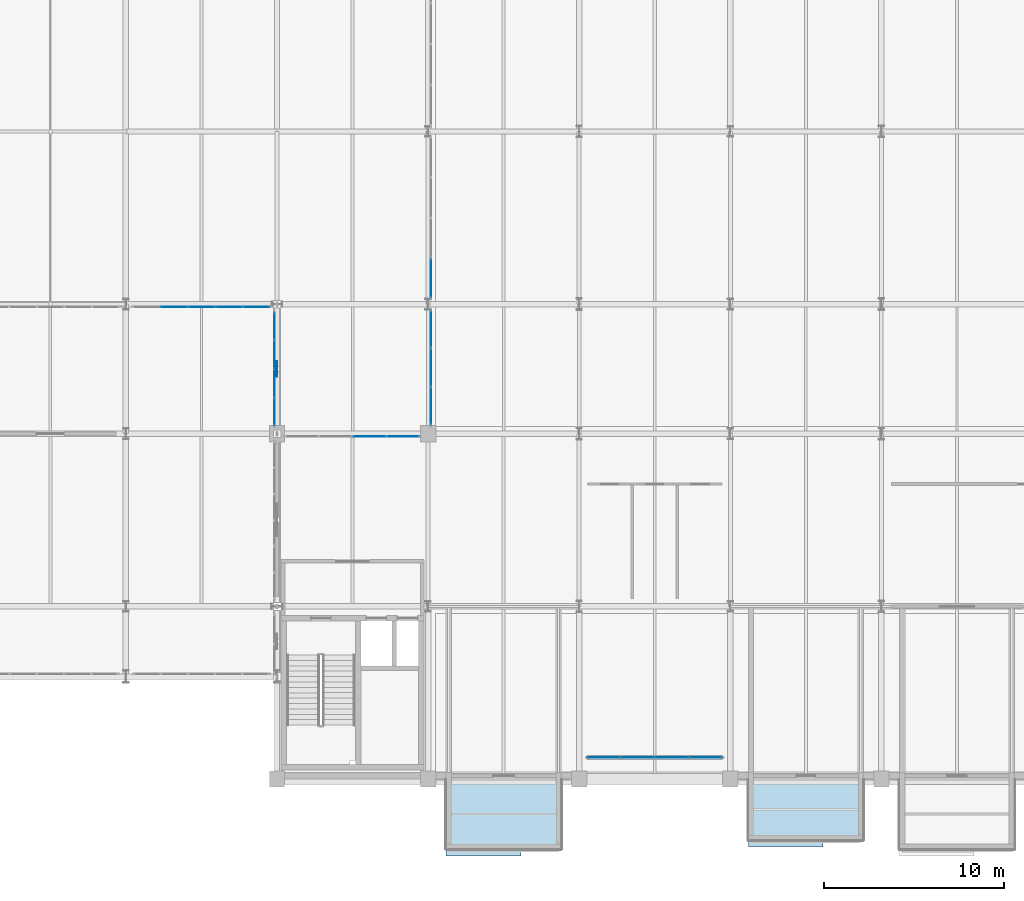
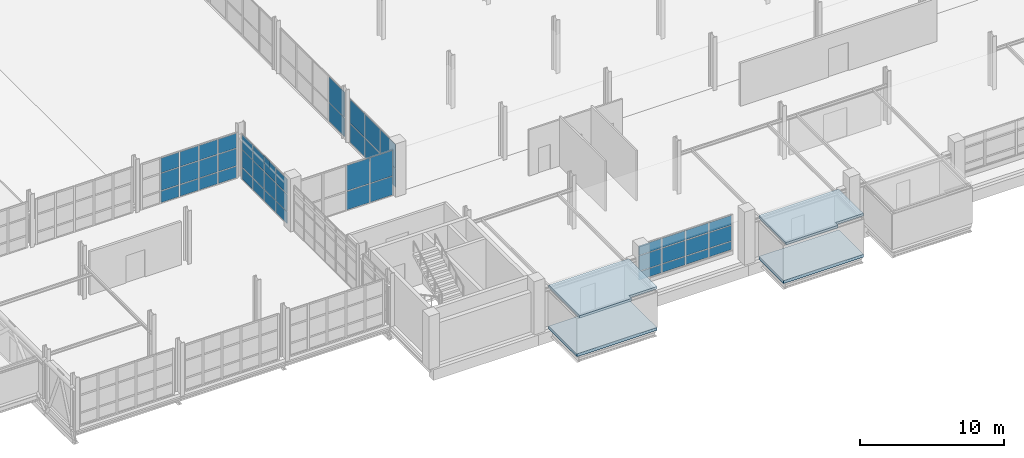
# One storey, part 106 of 130: 49 plates, 4 slabs, 6 elements without a shape of their own.
"""IFC4 building model written with IfcOpenShell, lengths in metres."""

from ifc_helpers import new_model, si_unit, direction, frame, origin, origin_2d, place, context, subcontext, project, spatial, polyline, rectangle, outline, extrude, material, layer, layer_set, type_object, element, aggregate, save


model = new_model("IFC4")

# Units and contexts
model_context = context("Model", 3, precision=1e-05, world=origin(), true_north=direction((0.0, 1.0)))
body_context = subcontext(model_context, "Body", "Model", "MODEL_VIEW")
ifc_project = project(units=[si_unit("LENGTHUNIT", "METRE"), si_unit("AREAUNIT", "SQUARE_METRE"), si_unit("VOLUMEUNIT", "CUBIC_METRE"), si_unit("PLANEANGLEUNIT", "RADIAN"), si_unit("MASSUNIT", "GRAM", prefix="KILO")], contexts=[model_context])

# Site, building, storey
site_placement = place(None, origin())
site = spatial("IfcSite", under=ifc_project, at=site_placement, CompositionType="ELEMENT")
building_placement = place(site_placement, origin())
building = spatial("IfcBuilding", under=site, at=building_placement, Name="Veltarok Museum of Natural Sciences", CompositionType="ELEMENT")
storey_placement = place(building_placement, frame((0.0, 0.0, 12.89990234375)))
storey = spatial("IfcBuildingStorey", under=building, at=storey_placement, Name="L02", CompositionType="ELEMENT", Elevation=12.89990234375)

# Slabs
ifc_material_1 = material(Name="Concrete C35/45", Category="concrete")
ifc_layer_1 = layer(ifc_material_1, 0.199951171875)
ifc_layer_set_1 = layer_set([ifc_layer_1], Name="Concrete C35/45")
slab_type_1 = type_object("IfcSlabType", Name="Cantilevered Cabinet Box Roof Slab 200", PredefinedType="ROOF", material=ifc_layer_set_1)
slab_1_placement = place(storey_placement, frame((0.0, 0.0, 3.25)))
element("IfcSlab", 1, at=slab_1_placement, inside=storey, type_object=slab_type_1, Name="Cabinet Box Roof Slab DB-07", PredefinedType="ROOF", context=body_context, shape_type="SweptSolid", body=[
    extrude(outline(polyline([(41.0, -4.280029296875), (45.159912109375, -4.280029296875), (45.159912109375, -3.89990234375), (47.39990234375, -3.89990234375), (47.39990234375, 0.0), (41.0, 0.0), (41.0, -4.280029296875)])), origin(), (0.0, 0.0, 1.0), 0.2001953125),
])
slab_2_placement = place(storey_placement, frame((0.0, 0.0, 3.25)))
element("IfcSlab", 2, at=slab_2_placement, inside=storey, type_object=slab_type_1, Name="Cabinet Box Roof Slab DB-08", PredefinedType="ROOF", context=body_context, shape_type="SweptSolid", body=[
    extrude(outline(polyline([(57.800048828125, -3.780029296875), (61.9599609375, -3.780029296875), (61.9599609375, -3.39990234375), (64.199951171875, -3.39990234375), (64.199951171875, 0.0), (57.800048828125, 0.0), (57.800048828125, -3.780029296875)])), origin(), (0.0, 0.0, 1.0), 0.2001953125),
])
ifc_layer_2 = layer(ifc_material_1, 0.25)
ifc_layer_set_2 = layer_set([ifc_layer_2], Name="Concrete C35/45")
slab_type_2 = type_object("IfcSlabType", Name="Suspended Museum Floor Slab 250", PredefinedType="FLOOR", material=ifc_layer_set_2)
slab_3_placement = place(storey_placement, frame((0.0, 0.0, -0.25)))
element("IfcSlab", 3, at=slab_3_placement, inside=storey, type_object=slab_type_2, Name="Cabinet Box Floor Slab DB-07", PredefinedType="FLOOR", context=body_context, shape_type="SweptSolid", body=[
    extrude(outline(polyline([(41.0, -3.89990234375), (47.39990234375, -3.89990234375), (47.39990234375, 0.0), (41.0, 0.0), (41.0, -3.89990234375)])), origin(), (0.0, 0.0, 1.0), 0.25),
])
slab_4_placement = place(storey_placement, frame((0.0, 0.0, -0.25)))
element("IfcSlab", 4, at=slab_4_placement, inside=storey, type_object=slab_type_2, Name="Cabinet Box Floor Slab DB-08", PredefinedType="FLOOR", context=body_context, shape_type="SweptSolid", body=[
    extrude(outline(polyline([(57.800048828125, -3.39990234375), (64.199951171875, -3.39990234375), (64.199951171875, 0.0), (57.800048828125, 0.0), (57.800048828125, -3.39990234375)])), origin(), (0.0, 0.0, 1.0), 0.25),
])

# Plate
ifc_material_2 = material(Name="Steel S355J2", Category="steel")
ifc_layer_3 = layer(ifc_material_2, 0.030029296875)
ifc_layer_set_3 = layer_set([ifc_layer_3], Name="Steel S355J2")
plate_type_1 = type_object("IfcPlateType", Name="Transfer Truss Chord Gusset Node Plate CN1", PredefinedType="USERDEFINED", material=ifc_layer_set_3)
plate_1_placement = place(storey_placement, frame((31.60009765625, 22.800048828125, 3.01025390625), z_axis=(0.0, 0.0, 1.0), x_axis=(1.0, 0.0, 0.0)))
element("IfcPlate", 5, at=plate_1_placement, inside=storey, type_object=plate_type_1, Name="Transfer Truss Node CN1 6", ObjectType="GUSSET PLATE", PredefinedType="USERDEFINED", context=body_context, shape_type="SweptSolid", body=[
    extrude(rectangle(XDim=0.030029296875, YDim=0.840087890625, at=origin_2d()), origin(), (0.0, 0.0, 1.0), 0.639892578125),
])

# Curtain wall, plates
ifc_material_3 = material(Name="Low-iron triple insulated glass", Category="glass")
curtain_wall_type_1 = type_object("IfcCurtainWallType", Name="Curtain Wall System CW-CAB-L02-A-755x301 (V1 Recessed L02 755x301cm)", PredefinedType="NOTDEFINED", material=ifc_material_3)
curtain_wall_1_placement = place(storey_placement, origin())
curtain_wall_1 = element("IfcCurtainWall", 6, at=curtain_wall_1_placement, inside=storey, type_object=curtain_wall_type_1, Name="Curtain Wall CW-CAB-L02-A-755x301 CW-0003", PredefinedType="NOTDEFINED")
ifc_layer_4 = layer(ifc_material_3, 0.028076171875)
ifc_layer_set_4 = layer_set([ifc_layer_4], Name="Low-iron triple insulated glass")
plate_type_2 = type_object("IfcPlateType", Name="Triple Low-Iron Glazed Vision Panel 28", PredefinedType="CURTAIN_PANEL", material=ifc_layer_set_4)
plate_2_placement = place(storey_placement, frame((49.78369140625, 1.199951171875, 0.380126953125), z_axis=(0.0, 0.0, 1.0), x_axis=(1.0, 0.0, 0.0)))
plate_2 = element("IfcPlate", 7, at=plate_2_placement, type_object=plate_type_2, Name="CW-CAB-L02-A-755x301 panel 1.1", PredefinedType="CURTAIN_PANEL", context=body_context, shape_type="SweptSolid", body=[
    extrude(rectangle(XDim=1.797607421875, YDim=0.028076171875, at=origin_2d()), origin(), (0.0, 0.0, 1.0), 0.68994140625),
])
plate_3_placement = place(storey_placement, frame((49.78369140625, 1.199951171875, 1.130126953125), z_axis=(0.0, 0.0, 1.0), x_axis=(1.0, 0.0, 0.0)))
plate_3 = element("IfcPlate", 8, at=plate_3_placement, type_object=plate_type_2, Name="CW-CAB-L02-A-755x301 panel 1.2", PredefinedType="CURTAIN_PANEL", context=body_context, shape_type="SweptSolid", body=[
    extrude(rectangle(XDim=1.797607421875, YDim=0.028076171875, at=origin_2d()), origin(), (0.0, 0.0, 1.0), 1.2900390625),
])
plate_4_placement = place(storey_placement, frame((49.78369140625, 1.199951171875, 2.480224609375), z_axis=(0.0, 0.0, 1.0), x_axis=(1.0, 0.0, 0.0)))
plate_4 = element("IfcPlate", 9, at=plate_4_placement, type_object=plate_type_2, Name="CW-CAB-L02-A-755x301 panel 1.3", PredefinedType="CURTAIN_PANEL", context=body_context, shape_type="SweptSolid", body=[
    extrude(rectangle(XDim=1.797607421875, YDim=0.028076171875, at=origin_2d()), origin(), (0.0, 0.0, 1.0), 0.794921875),
])
plate_5_placement = place(storey_placement, frame((51.65625, 1.199951171875, 0.380126953125), z_axis=(0.0, 0.0, 1.0), x_axis=(1.0, 0.0, 0.0)))
plate_5 = element("IfcPlate", 10, at=plate_5_placement, type_object=plate_type_2, Name="CW-CAB-L02-A-755x301 panel 2.1", PredefinedType="CURTAIN_PANEL", context=body_context, shape_type="SweptSolid", body=[
    extrude(rectangle(XDim=1.827392578125, YDim=0.028076171875, at=origin_2d()), origin(), (0.0, 0.0, 1.0), 0.68994140625),
])
plate_6_placement = place(storey_placement, frame((51.65625, 1.199951171875, 1.130126953125), z_axis=(0.0, 0.0, 1.0), x_axis=(1.0, 0.0, 0.0)))
plate_6 = element("IfcPlate", 11, at=plate_6_placement, type_object=plate_type_2, Name="CW-CAB-L02-A-755x301 panel 2.2", PredefinedType="CURTAIN_PANEL", context=body_context, shape_type="SweptSolid", body=[
    extrude(rectangle(XDim=1.827392578125, YDim=0.028076171875, at=origin_2d()), origin(), (0.0, 0.0, 1.0), 1.2900390625),
])
plate_7_placement = place(storey_placement, frame((51.65625, 1.199951171875, 2.480224609375), z_axis=(0.0, 0.0, 1.0), x_axis=(1.0, 0.0, 0.0)))
plate_7 = element("IfcPlate", 12, at=plate_7_placement, type_object=plate_type_2, Name="CW-CAB-L02-A-755x301 panel 2.3", PredefinedType="CURTAIN_PANEL", context=body_context, shape_type="SweptSolid", body=[
    extrude(rectangle(XDim=1.827392578125, YDim=0.028076171875, at=origin_2d()), origin(), (0.0, 0.0, 1.0), 0.794921875),
])
plate_8_placement = place(storey_placement, frame((53.543701171875, 1.199951171875, 0.380126953125), z_axis=(0.0, 0.0, 1.0), x_axis=(1.0, 0.0, 0.0)))
plate_8 = element("IfcPlate", 13, at=plate_8_placement, type_object=plate_type_2, Name="CW-CAB-L02-A-755x301 panel 3.1", PredefinedType="CURTAIN_PANEL", context=body_context, shape_type="SweptSolid", body=[
    extrude(rectangle(XDim=1.827392578125, YDim=0.028076171875, at=origin_2d()), origin(), (0.0, 0.0, 1.0), 0.68994140625),
])
plate_9_placement = place(storey_placement, frame((53.543701171875, 1.199951171875, 1.130126953125), z_axis=(0.0, 0.0, 1.0), x_axis=(1.0, 0.0, 0.0)))
plate_9 = element("IfcPlate", 14, at=plate_9_placement, type_object=plate_type_2, Name="CW-CAB-L02-A-755x301 panel 3.2", PredefinedType="CURTAIN_PANEL", context=body_context, shape_type="SweptSolid", body=[
    extrude(rectangle(XDim=1.827392578125, YDim=0.028076171875, at=origin_2d()), origin(), (0.0, 0.0, 1.0), 1.2900390625),
])
plate_10_placement = place(storey_placement, frame((53.543701171875, 1.199951171875, 2.480224609375), z_axis=(0.0, 0.0, 1.0), x_axis=(1.0, 0.0, 0.0)))
plate_10 = element("IfcPlate", 15, at=plate_10_placement, type_object=plate_type_2, Name="CW-CAB-L02-A-755x301 panel 3.3", PredefinedType="CURTAIN_PANEL", context=body_context, shape_type="SweptSolid", body=[
    extrude(rectangle(XDim=1.827392578125, YDim=0.028076171875, at=origin_2d()), origin(), (0.0, 0.0, 1.0), 0.794921875),
])
plate_11_placement = place(storey_placement, frame((55.416259765625, 1.199951171875, 0.380126953125), z_axis=(0.0, 0.0, 1.0), x_axis=(1.0, 0.0, 0.0)))
plate_11 = element("IfcPlate", 16, at=plate_11_placement, type_object=plate_type_2, Name="CW-CAB-L02-A-755x301 panel 4.1", PredefinedType="CURTAIN_PANEL", context=body_context, shape_type="SweptSolid", body=[
    extrude(rectangle(XDim=1.797607421875, YDim=0.028076171875, at=origin_2d()), origin(), (0.0, 0.0, 1.0), 0.68994140625),
])
plate_12_placement = place(storey_placement, frame((55.416259765625, 1.199951171875, 1.130126953125), z_axis=(0.0, 0.0, 1.0), x_axis=(1.0, 0.0, 0.0)))
plate_12 = element("IfcPlate", 17, at=plate_12_placement, type_object=plate_type_2, Name="CW-CAB-L02-A-755x301 panel 4.2", PredefinedType="CURTAIN_PANEL", context=body_context, shape_type="SweptSolid", body=[
    extrude(rectangle(XDim=1.797607421875, YDim=0.028076171875, at=origin_2d()), origin(), (0.0, 0.0, 1.0), 1.2900390625),
])
plate_13_placement = place(storey_placement, frame((55.416259765625, 1.199951171875, 2.480224609375), z_axis=(0.0, 0.0, 1.0), x_axis=(1.0, 0.0, 0.0)))
plate_13 = element("IfcPlate", 18, at=plate_13_placement, type_object=plate_type_2, Name="CW-CAB-L02-A-755x301 panel 4.3", PredefinedType="CURTAIN_PANEL", context=body_context, shape_type="SweptSolid", body=[
    extrude(rectangle(XDim=1.797607421875, YDim=0.028076171875, at=origin_2d()), origin(), (0.0, 0.0, 1.0), 0.794921875),
])
aggregate(curtain_wall_1, [plate_2, plate_3, plate_4, plate_5, plate_6, plate_7, plate_8, plate_9, plate_10, plate_11, plate_12, plate_13])

curtain_wall_type_2 = type_object("IfcCurtainWallType", Name="Curtain Wall System CW-BRG-E-L02-CD-636x388 (Bridge East Court L02 CD 636x388cm)", PredefinedType="NOTDEFINED", material=ifc_material_3)
curtain_wall_2_placement = place(storey_placement, origin())
curtain_wall_2 = element("IfcCurtainWall", 19, at=curtain_wall_2_placement, inside=storey, type_object=curtain_wall_type_2, Name="Curtain Wall CW-BRG-E-L02-CD-636x388 CW-0032", PredefinedType="NOTDEFINED")
plate_14_placement = place(storey_placement, frame((31.449951171875, 20.429931640625, 0.06005859375), z_axis=(0.0, 0.0, 1.0), x_axis=(0.0, 1.0, 0.0)))
plate_14 = element("IfcPlate", 20, at=plate_14_placement, type_object=plate_type_2, Name="CW-BRG-E-L02-CD-636x388 panel 1.1", PredefinedType="CURTAIN_PANEL", context=body_context, shape_type="SweptSolid", body=[
    extrude(rectangle(XDim=1.5, YDim=0.028076171875, at=origin_2d()), origin(), (0.0, 0.0, 1.0), 0.9599609375),
])
plate_15_placement = place(storey_placement, frame((31.449951171875, 20.429931640625, 1.080078125), z_axis=(0.0, 0.0, 1.0), x_axis=(0.0, 1.0, 0.0)))
plate_15 = element("IfcPlate", 21, at=plate_15_placement, type_object=plate_type_2, Name="CW-BRG-E-L02-CD-636x388 panel 1.2", PredefinedType="CURTAIN_PANEL", context=body_context, shape_type="SweptSolid", body=[
    extrude(rectangle(XDim=1.5, YDim=0.028076171875, at=origin_2d()), origin(), (0.0, 0.0, 1.0), 1.43994140625),
])
plate_16_placement = place(storey_placement, frame((31.449951171875, 20.429931640625, 2.580078125), z_axis=(0.0, 0.0, 1.0), x_axis=(0.0, 1.0, 0.0)))
plate_16 = element("IfcPlate", 22, at=plate_16_placement, type_object=plate_type_2, Name="CW-BRG-E-L02-CD-636x388 panel 1.3", PredefinedType="CURTAIN_PANEL", context=body_context, shape_type="SweptSolid", body=[
    extrude(rectangle(XDim=1.5, YDim=0.028076171875, at=origin_2d()), origin(), (0.0, 0.0, 1.0), 1.239990234375),
])
plate_17_placement = place(storey_placement, frame((31.449951171875, 22.0048828125, 0.06005859375), z_axis=(0.0, 0.0, 1.0), x_axis=(0.0, 1.0, 0.0)))
plate_17 = element("IfcPlate", 23, at=plate_17_placement, type_object=plate_type_2, Name="CW-BRG-E-L02-CD-636x388 panel 2.1", PredefinedType="CURTAIN_PANEL", context=body_context, shape_type="SweptSolid", body=[
    extrude(rectangle(XDim=1.530029296875, YDim=0.028076171875, at=origin_2d()), origin(), (0.0, 0.0, 1.0), 0.9599609375),
])
plate_18_placement = place(storey_placement, frame((31.449951171875, 22.0048828125, 1.080078125), z_axis=(0.0, 0.0, 1.0), x_axis=(0.0, 1.0, 0.0)))
plate_18 = element("IfcPlate", 24, at=plate_18_placement, type_object=plate_type_2, Name="CW-BRG-E-L02-CD-636x388 panel 2.2", PredefinedType="CURTAIN_PANEL", context=body_context, shape_type="SweptSolid", body=[
    extrude(rectangle(XDim=1.530029296875, YDim=0.028076171875, at=origin_2d()), origin(), (0.0, 0.0, 1.0), 1.43994140625),
])
plate_19_placement = place(storey_placement, frame((31.449951171875, 22.0048828125, 2.580078125), z_axis=(0.0, 0.0, 1.0), x_axis=(0.0, 1.0, 0.0)))
plate_19 = element("IfcPlate", 25, at=plate_19_placement, type_object=plate_type_2, Name="CW-BRG-E-L02-CD-636x388 panel 2.3", PredefinedType="CURTAIN_PANEL", context=body_context, shape_type="SweptSolid", body=[
    extrude(rectangle(XDim=1.530029296875, YDim=0.028076171875, at=origin_2d()), origin(), (0.0, 0.0, 1.0), 1.239990234375),
])
plate_20_placement = place(storey_placement, frame((31.449951171875, 23.594970703125, 0.06005859375), z_axis=(0.0, 0.0, 1.0), x_axis=(0.0, 1.0, 0.0)))
plate_20 = element("IfcPlate", 26, at=plate_20_placement, type_object=plate_type_2, Name="CW-BRG-E-L02-CD-636x388 panel 3.1", PredefinedType="CURTAIN_PANEL", context=body_context, shape_type="SweptSolid", body=[
    extrude(rectangle(XDim=1.530029296875, YDim=0.028076171875, at=origin_2d()), origin(), (0.0, 0.0, 1.0), 0.9599609375),
])
plate_21_placement = place(storey_placement, frame((31.449951171875, 23.594970703125, 1.080078125), z_axis=(0.0, 0.0, 1.0), x_axis=(0.0, 1.0, 0.0)))
plate_21 = element("IfcPlate", 27, at=plate_21_placement, type_object=plate_type_2, Name="CW-BRG-E-L02-CD-636x388 panel 3.2", PredefinedType="CURTAIN_PANEL", context=body_context, shape_type="SweptSolid", body=[
    extrude(rectangle(XDim=1.530029296875, YDim=0.028076171875, at=origin_2d()), origin(), (0.0, 0.0, 1.0), 1.43994140625),
])
plate_22_placement = place(storey_placement, frame((31.449951171875, 23.594970703125, 2.580078125), z_axis=(0.0, 0.0, 1.0), x_axis=(0.0, 1.0, 0.0)))
plate_22 = element("IfcPlate", 28, at=plate_22_placement, type_object=plate_type_2, Name="CW-BRG-E-L02-CD-636x388 panel 3.3", PredefinedType="CURTAIN_PANEL", context=body_context, shape_type="SweptSolid", body=[
    extrude(rectangle(XDim=1.530029296875, YDim=0.028076171875, at=origin_2d()), origin(), (0.0, 0.0, 1.0), 1.239990234375),
])
plate_23_placement = place(storey_placement, frame((31.449951171875, 25.169921875, 0.06005859375), z_axis=(0.0, 0.0, 1.0), x_axis=(0.0, 1.0, 0.0)))
plate_23 = element("IfcPlate", 29, at=plate_23_placement, type_object=plate_type_2, Name="CW-BRG-E-L02-CD-636x388 panel 4.1", PredefinedType="CURTAIN_PANEL", context=body_context, shape_type="SweptSolid", body=[
    extrude(rectangle(XDim=1.5, YDim=0.028076171875, at=origin_2d()), origin(), (0.0, 0.0, 1.0), 0.9599609375),
])
plate_24_placement = place(storey_placement, frame((31.449951171875, 25.169921875, 1.080078125), z_axis=(0.0, 0.0, 1.0), x_axis=(0.0, 1.0, 0.0)))
plate_24 = element("IfcPlate", 30, at=plate_24_placement, type_object=plate_type_2, Name="CW-BRG-E-L02-CD-636x388 panel 4.2", PredefinedType="CURTAIN_PANEL", context=body_context, shape_type="SweptSolid", body=[
    extrude(rectangle(XDim=1.5, YDim=0.028076171875, at=origin_2d()), origin(), (0.0, 0.0, 1.0), 1.43994140625),
])
plate_25_placement = place(storey_placement, frame((31.449951171875, 25.169921875, 2.580078125), z_axis=(0.0, 0.0, 1.0), x_axis=(0.0, 1.0, 0.0)))
plate_25 = element("IfcPlate", 31, at=plate_25_placement, type_object=plate_type_2, Name="CW-BRG-E-L02-CD-636x388 panel 4.3", PredefinedType="CURTAIN_PANEL", context=body_context, shape_type="SweptSolid", body=[
    extrude(rectangle(XDim=1.5, YDim=0.028076171875, at=origin_2d()), origin(), (0.0, 0.0, 1.0), 1.239990234375),
])
aggregate(curtain_wall_2, [plate_14, plate_15, plate_16, plate_17, plate_18, plate_19, plate_20, plate_21, plate_22, plate_23, plate_24, plate_25])

curtain_wall_type_3 = type_object("IfcCurtainWallType", Name="Curtain Wall System CW-BRG-N-L02-3-768x388 (Bridge North Court L02 3-4 768x388cm)", PredefinedType="NOTDEFINED", material=ifc_material_3)
curtain_wall_3_placement = place(storey_placement, origin())
curtain_wall_3 = element("IfcCurtainWall", 32, at=curtain_wall_3_placement, inside=storey, type_object=curtain_wall_type_3, Name="Curtain Wall CW-BRG-N-L02-3-768x388 CW-0035", PredefinedType="NOTDEFINED")
plate_26_placement = place(storey_placement, frame((30.45703125, 26.25, 0.06005859375), z_axis=(0.0, 0.0, 1.0), x_axis=(-1.0, 0.0, 0.0)))
plate_26 = element("IfcPlate", 33, at=plate_26_placement, type_object=plate_type_2, Name="CW-BRG-N-L02-3-768x388 panel 1.1", PredefinedType="CURTAIN_PANEL", context=body_context, shape_type="SweptSolid", body=[
    extrude(rectangle(XDim=1.446044921875, YDim=0.028076171875, at=origin_2d()), origin(), (0.0, 0.0, 1.0), 0.9599609375),
])
plate_27_placement = place(storey_placement, frame((30.45703125, 26.25, 1.080078125), z_axis=(0.0, 0.0, 1.0), x_axis=(-1.0, 0.0, 0.0)))
plate_27 = element("IfcPlate", 34, at=plate_27_placement, type_object=plate_type_2, Name="CW-BRG-N-L02-3-768x388 panel 1.2", PredefinedType="CURTAIN_PANEL", context=body_context, shape_type="SweptSolid", body=[
    extrude(rectangle(XDim=1.446044921875, YDim=0.028076171875, at=origin_2d()), origin(), (0.0, 0.0, 1.0), 1.43994140625),
])
plate_28_placement = place(storey_placement, frame((30.45703125, 26.25, 2.580078125), z_axis=(0.0, 0.0, 1.0), x_axis=(-1.0, 0.0, 0.0)))
plate_28 = element("IfcPlate", 35, at=plate_28_placement, type_object=plate_type_2, Name="CW-BRG-N-L02-3-768x388 panel 1.3", PredefinedType="CURTAIN_PANEL", context=body_context, shape_type="SweptSolid", body=[
    extrude(rectangle(XDim=1.446044921875, YDim=0.028076171875, at=origin_2d()), origin(), (0.0, 0.0, 1.0), 1.239990234375),
])
plate_29_placement = place(storey_placement, frame((28.93603515625, 26.25, 0.06005859375), z_axis=(0.0, 0.0, 1.0), x_axis=(-1.0, 0.0, 0.0)))
plate_29 = element("IfcPlate", 36, at=plate_29_placement, type_object=plate_type_2, Name="CW-BRG-N-L02-3-768x388 panel 2.1", PredefinedType="CURTAIN_PANEL", context=body_context, shape_type="SweptSolid", body=[
    extrude(rectangle(XDim=1.47607421875, YDim=0.028076171875, at=origin_2d()), origin(), (0.0, 0.0, 1.0), 0.9599609375),
])
plate_30_placement = place(storey_placement, frame((28.93603515625, 26.25, 1.080078125), z_axis=(0.0, 0.0, 1.0), x_axis=(-1.0, 0.0, 0.0)))
plate_30 = element("IfcPlate", 37, at=plate_30_placement, type_object=plate_type_2, Name="CW-BRG-N-L02-3-768x388 panel 2.2", PredefinedType="CURTAIN_PANEL", context=body_context, shape_type="SweptSolid", body=[
    extrude(rectangle(XDim=1.47607421875, YDim=0.028076171875, at=origin_2d()), origin(), (0.0, 0.0, 1.0), 1.43994140625),
])
plate_31_placement = place(storey_placement, frame((28.93603515625, 26.25, 2.580078125), z_axis=(0.0, 0.0, 1.0), x_axis=(-1.0, 0.0, 0.0)))
plate_31 = element("IfcPlate", 38, at=plate_31_placement, type_object=plate_type_2, Name="CW-BRG-N-L02-3-768x388 panel 2.3", PredefinedType="CURTAIN_PANEL", context=body_context, shape_type="SweptSolid", body=[
    extrude(rectangle(XDim=1.47607421875, YDim=0.028076171875, at=origin_2d()), origin(), (0.0, 0.0, 1.0), 1.239990234375),
])
plate_32_placement = place(storey_placement, frame((27.39990234375, 26.25, 0.06005859375), z_axis=(0.0, 0.0, 1.0), x_axis=(-1.0, 0.0, 0.0)))
plate_32 = element("IfcPlate", 39, at=plate_32_placement, type_object=plate_type_2, Name="CW-BRG-N-L02-3-768x388 panel 3.1", PredefinedType="CURTAIN_PANEL", context=body_context, shape_type="SweptSolid", body=[
    extrude(rectangle(XDim=1.47607421875, YDim=0.028076171875, at=origin_2d()), origin(), (0.0, 0.0, 1.0), 0.9599609375),
])
plate_33_placement = place(storey_placement, frame((27.39990234375, 26.25, 1.080078125), z_axis=(0.0, 0.0, 1.0), x_axis=(-1.0, 0.0, 0.0)))
plate_33 = element("IfcPlate", 40, at=plate_33_placement, type_object=plate_type_2, Name="CW-BRG-N-L02-3-768x388 panel 3.2", PredefinedType="CURTAIN_PANEL", context=body_context, shape_type="SweptSolid", body=[
    extrude(rectangle(XDim=1.47607421875, YDim=0.028076171875, at=origin_2d()), origin(), (0.0, 0.0, 1.0), 1.43994140625),
])
plate_34_placement = place(storey_placement, frame((27.39990234375, 26.25, 2.580078125), z_axis=(0.0, 0.0, 1.0), x_axis=(-1.0, 0.0, 0.0)))
plate_34 = element("IfcPlate", 41, at=plate_34_placement, type_object=plate_type_2, Name="CW-BRG-N-L02-3-768x388 panel 3.3", PredefinedType="CURTAIN_PANEL", context=body_context, shape_type="SweptSolid", body=[
    extrude(rectangle(XDim=1.47607421875, YDim=0.028076171875, at=origin_2d()), origin(), (0.0, 0.0, 1.0), 1.239990234375),
])
plate_35_placement = place(storey_placement, frame((25.864013671875, 26.25, 0.06005859375), z_axis=(0.0, 0.0, 1.0), x_axis=(-1.0, 0.0, 0.0)))
plate_35 = element("IfcPlate", 42, at=plate_35_placement, type_object=plate_type_2, Name="CW-BRG-N-L02-3-768x388 panel 4.1", PredefinedType="CURTAIN_PANEL", context=body_context, shape_type="SweptSolid", body=[
    extrude(rectangle(XDim=1.47607421875, YDim=0.028076171875, at=origin_2d()), origin(), (0.0, 0.0, 1.0), 0.9599609375),
])
plate_36_placement = place(storey_placement, frame((25.864013671875, 26.25, 1.080078125), z_axis=(0.0, 0.0, 1.0), x_axis=(-1.0, 0.0, 0.0)))
plate_36 = element("IfcPlate", 43, at=plate_36_placement, type_object=plate_type_2, Name="CW-BRG-N-L02-3-768x388 panel 4.2", PredefinedType="CURTAIN_PANEL", context=body_context, shape_type="SweptSolid", body=[
    extrude(rectangle(XDim=1.47607421875, YDim=0.028076171875, at=origin_2d()), origin(), (0.0, 0.0, 1.0), 1.43994140625),
])
plate_37_placement = place(storey_placement, frame((25.864013671875, 26.25, 2.580078125), z_axis=(0.0, 0.0, 1.0), x_axis=(-1.0, 0.0, 0.0)))
plate_37 = element("IfcPlate", 44, at=plate_37_placement, type_object=plate_type_2, Name="CW-BRG-N-L02-3-768x388 panel 4.3", PredefinedType="CURTAIN_PANEL", context=body_context, shape_type="SweptSolid", body=[
    extrude(rectangle(XDim=1.47607421875, YDim=0.028076171875, at=origin_2d()), origin(), (0.0, 0.0, 1.0), 1.239990234375),
])
aggregate(curtain_wall_3, [plate_26, plate_27, plate_28, plate_29, plate_30, plate_31, plate_32, plate_33, plate_34, plate_35, plate_36, plate_37])

curtain_wall_type_4 = type_object("IfcCurtainWallType", Name="Curtain Wall System CW-V2W-L02-3-645x373 (CW-V2W L02 645x373cm)", PredefinedType="NOTDEFINED", material=ifc_material_3)
curtain_wall_4_placement = place(storey_placement, origin())
curtain_wall_4 = element("IfcCurtainWall", 45, at=curtain_wall_4_placement, inside=storey, type_object=curtain_wall_type_4, Name="Curtain Wall CW-V2W-L02-3-645x373 CW-0139", PredefinedType="NOTDEFINED")
plate_38_placement = place(storey_placement, frame((40.14990234375, 20.739990234375, 0.05810546875), z_axis=(0.0, 0.0, 1.0), x_axis=(0.0, 1.0, 0.0)))
plate_38 = element("IfcPlate", 46, at=plate_38_placement, type_object=plate_type_2, Name="CW-V2W-L02-3-645x373 panel 1.1", PredefinedType="CURTAIN_PANEL", context=body_context, shape_type="SweptSolid", body=[
    extrude(rectangle(XDim=2.06005859375, YDim=0.028076171875, at=origin_2d()), origin(), (0.0, 0.0, 1.0), 1.56005859375),
])
plate_39_placement = place(storey_placement, frame((40.14990234375, 20.739990234375, 1.67822265625), z_axis=(0.0, 0.0, 1.0), x_axis=(0.0, 1.0, 0.0)))
plate_39 = element("IfcPlate", 47, at=plate_39_placement, type_object=plate_type_2, Name="CW-V2W-L02-3-645x373 panel 1.2", PredefinedType="CURTAIN_PANEL", context=body_context, shape_type="SweptSolid", body=[
    extrude(rectangle(XDim=2.06005859375, YDim=0.028076171875, at=origin_2d()), origin(), (0.0, 0.0, 1.0), 1.991943359375),
])
plate_40_placement = place(storey_placement, frame((40.14990234375, 22.875, 0.05810546875), z_axis=(0.0, 0.0, 1.0), x_axis=(0.0, 1.0, 0.0)))
plate_40 = element("IfcPlate", 48, at=plate_40_placement, type_object=plate_type_2, Name="CW-V2W-L02-3-645x373 panel 2.1", PredefinedType="CURTAIN_PANEL", context=body_context, shape_type="SweptSolid", body=[
    extrude(rectangle(XDim=2.090087890625, YDim=0.028076171875, at=origin_2d()), origin(), (0.0, 0.0, 1.0), 1.56005859375),
])
plate_41_placement = place(storey_placement, frame((40.14990234375, 22.875, 1.67822265625), z_axis=(0.0, 0.0, 1.0), x_axis=(0.0, 1.0, 0.0)))
plate_41 = element("IfcPlate", 49, at=plate_41_placement, type_object=plate_type_2, Name="CW-V2W-L02-3-645x373 panel 2.2", PredefinedType="CURTAIN_PANEL", context=body_context, shape_type="SweptSolid", body=[
    extrude(rectangle(XDim=2.090087890625, YDim=0.028076171875, at=origin_2d()), origin(), (0.0, 0.0, 1.0), 1.991943359375),
])
plate_42_placement = place(storey_placement, frame((40.14990234375, 25.010009765625, 0.05810546875), z_axis=(0.0, 0.0, 1.0), x_axis=(0.0, 1.0, 0.0)))
plate_42 = element("IfcPlate", 50, at=plate_42_placement, type_object=plate_type_2, Name="CW-V2W-L02-3-645x373 panel 3.1", PredefinedType="CURTAIN_PANEL", context=body_context, shape_type="SweptSolid", body=[
    extrude(rectangle(XDim=2.06005859375, YDim=0.028076171875, at=origin_2d()), origin(), (0.0, 0.0, 1.0), 1.56005859375),
])
plate_43_placement = place(storey_placement, frame((40.14990234375, 25.010009765625, 1.67822265625), z_axis=(0.0, 0.0, 1.0), x_axis=(0.0, 1.0, 0.0)))
plate_43 = element("IfcPlate", 51, at=plate_43_placement, type_object=plate_type_2, Name="CW-V2W-L02-3-645x373 panel 3.2", PredefinedType="CURTAIN_PANEL", context=body_context, shape_type="SweptSolid", body=[
    extrude(rectangle(XDim=2.06005859375, YDim=0.028076171875, at=origin_2d()), origin(), (0.0, 0.0, 1.0), 1.991943359375),
])
aggregate(curtain_wall_4, [plate_38, plate_39, plate_40, plate_41, plate_42, plate_43])

curtain_wall_type_5 = type_object("IfcCurtainWallType", Name="Curtain Wall System CW-V2W-L02-0-900x388 (CW-V2W L02 900x388cm)", PredefinedType="NOTDEFINED", material=ifc_material_3)
curtain_wall_5_placement = place(storey_placement, origin())
curtain_wall_5 = element("IfcCurtainWall", 52, at=curtain_wall_5_placement, inside=storey, type_object=curtain_wall_type_5, Name="Curtain Wall CW-V2W-L02-0-900x388 CW-0140", PredefinedType="NOTDEFINED")
plate_44_placement = place(storey_placement, frame((40.14990234375, 27.840087890625, 0.05810546875), z_axis=(0.0, 0.0, 1.0), x_axis=(0.0, 1.0, 0.0)))
plate_44 = element("IfcPlate", 53, at=plate_44_placement, type_object=plate_type_2, Name="CW-V2W-L02-0-900x388 panel 1.1", PredefinedType="CURTAIN_PANEL", context=body_context, shape_type="SweptSolid", body=[
    extrude(rectangle(XDim=2.159912109375, YDim=0.028076171875, at=origin_2d()), origin(), (0.0, 0.0, 1.0), 1.56005859375),
])
plate_45_placement = place(storey_placement, frame((40.14990234375, 27.840087890625, 1.677978515625), z_axis=(0.0, 0.0, 1.0), x_axis=(0.0, 1.0, 0.0)))
plate_45 = element("IfcPlate", 54, at=plate_45_placement, type_object=plate_type_2, Name="CW-V2W-L02-0-900x388 panel 1.2", PredefinedType="CURTAIN_PANEL", context=body_context, shape_type="SweptSolid", body=[
    extrude(rectangle(XDim=2.159912109375, YDim=0.028076171875, at=origin_2d()), origin(), (0.0, 0.0, 1.0), 2.14208984375),
])
aggregate(curtain_wall_5, [plate_44, plate_45])

curtain_wall_type_6 = type_object("IfcCurtainWallType", Name="Curtain Wall System CW-V1CNW-L02-0-755x388 (CW-V1CNW L02 755x388cm)", PredefinedType="NOTDEFINED", material=ifc_material_3)
curtain_wall_6_placement = place(storey_placement, origin())
curtain_wall_6 = element("IfcCurtainWall", 55, at=curtain_wall_6_placement, inside=storey, type_object=curtain_wall_type_6, Name="Curtain Wall CW-V1CNW-L02-0-755x388 CW-0160", PredefinedType="NOTDEFINED")
plate_46_placement = place(storey_placement, frame((38.6162109375, 19.050048828125, 0.05810546875), z_axis=(0.0, 0.0, 1.0), x_axis=(-1.0, 0.0, 0.0)))
plate_46 = element("IfcPlate", 56, at=plate_46_placement, type_object=plate_type_2, Name="CW-V1CNW-L02-0-755x388 panel 1.1", PredefinedType="CURTAIN_PANEL", context=body_context, shape_type="SweptSolid", body=[
    extrude(rectangle(XDim=1.797607421875, YDim=0.028076171875, at=origin_2d()), origin(), (0.0, 0.0, 1.0), 1.56005859375),
])
plate_47_placement = place(storey_placement, frame((38.6162109375, 19.050048828125, 1.677978515625), z_axis=(0.0, 0.0, 1.0), x_axis=(-1.0, 0.0, 0.0)))
plate_47 = element("IfcPlate", 57, at=plate_47_placement, type_object=plate_type_2, Name="CW-V1CNW-L02-0-755x388 panel 1.2", PredefinedType="CURTAIN_PANEL", context=body_context, shape_type="SweptSolid", body=[
    extrude(rectangle(XDim=1.797607421875, YDim=0.028076171875, at=origin_2d()), origin(), (0.0, 0.0, 1.0), 2.14208984375),
])
plate_48_placement = place(storey_placement, frame((36.74365234375, 19.050048828125, 0.05810546875), z_axis=(0.0, 0.0, 1.0), x_axis=(-1.0, 0.0, 0.0)))
plate_48 = element("IfcPlate", 58, at=plate_48_placement, type_object=plate_type_2, Name="CW-V1CNW-L02-0-755x388 panel 2.1", PredefinedType="CURTAIN_PANEL", context=body_context, shape_type="SweptSolid", body=[
    extrude(rectangle(XDim=1.827392578125, YDim=0.028076171875, at=origin_2d()), origin(), (0.0, 0.0, 1.0), 1.56005859375),
])
plate_49_placement = place(storey_placement, frame((36.74365234375, 19.050048828125, 1.677978515625), z_axis=(0.0, 0.0, 1.0), x_axis=(-1.0, 0.0, 0.0)))
plate_49 = element("IfcPlate", 59, at=plate_49_placement, type_object=plate_type_2, Name="CW-V1CNW-L02-0-755x388 panel 2.2", PredefinedType="CURTAIN_PANEL", context=body_context, shape_type="SweptSolid", body=[
    extrude(rectangle(XDim=1.827392578125, YDim=0.028076171875, at=origin_2d()), origin(), (0.0, 0.0, 1.0), 2.14208984375),
])
aggregate(curtain_wall_6, [plate_46, plate_47, plate_48, plate_49])

save(model, "model.ifc")
